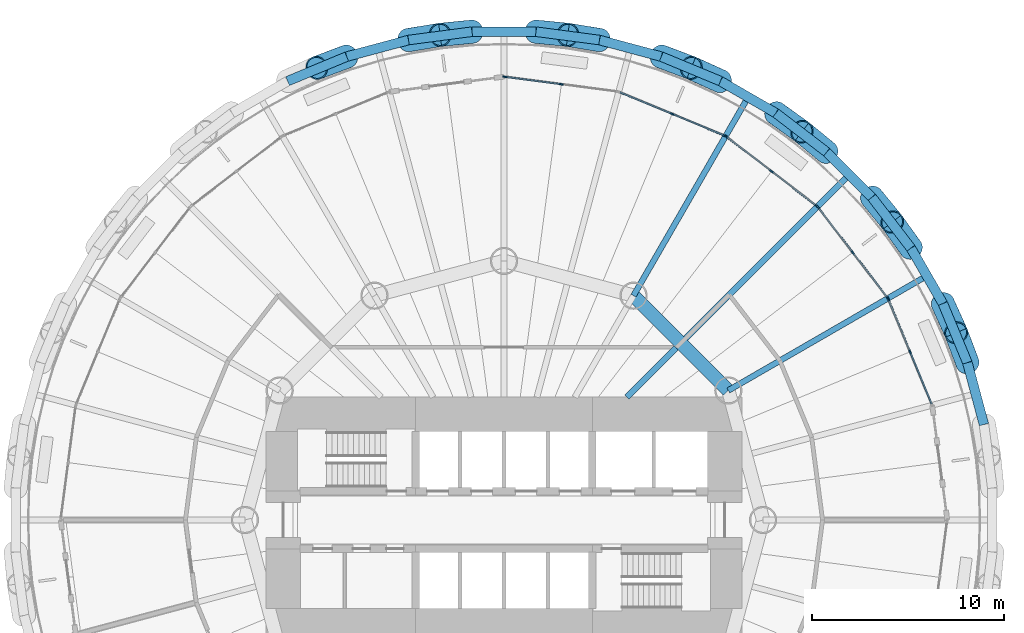
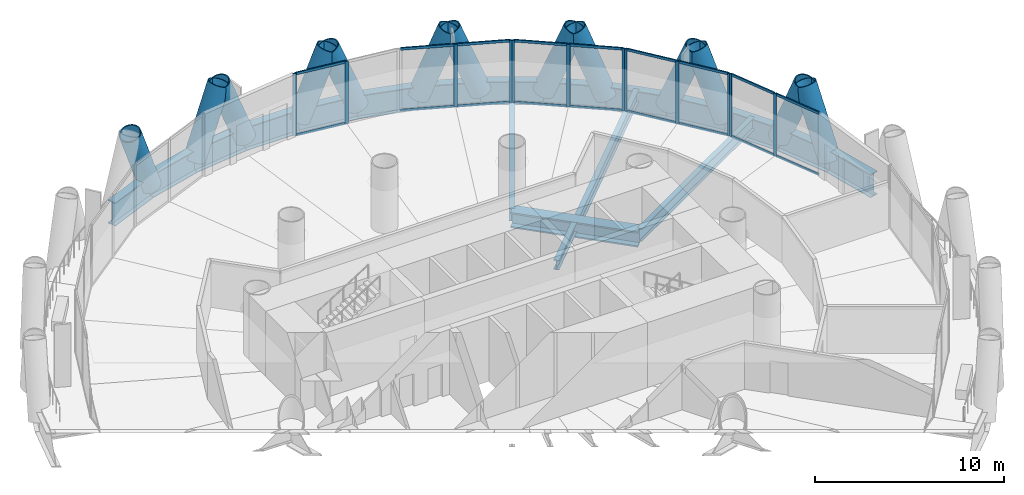
# One storey, part 7 of 16: 43 members, 19 beams, 5 elements without a shape of their own.
"""IFC4 building model written with IfcOpenShell, lengths in metres."""

from ifc_helpers import new_model, si_unit, direction, frame, origin, origin_2d, place, context, subcontext, project, spatial, rectangle, hollow_circle, i_section, extrude, material, material_profile, profile_set, type_object, element, aggregate, save


model = new_model("IFC4")

# Units and contexts
model_context = context("Model", 3, precision=1e-05, world=origin(), true_north=direction((0.0, 1.0)))
body_context = subcontext(model_context, "Body", "Model", "MODEL_VIEW")
ifc_project = project(units=[si_unit("LENGTHUNIT", "METRE"), si_unit("AREAUNIT", "SQUARE_METRE"), si_unit("VOLUMEUNIT", "CUBIC_METRE"), si_unit("PLANEANGLEUNIT", "RADIAN"), si_unit("MASSUNIT", "GRAM", prefix="KILO")], contexts=[model_context])

# Site, building, storey
site_placement = place(None, origin())
site = spatial("IfcSite", under=ifc_project, at=site_placement, CompositionType="ELEMENT")
building_placement = place(site_placement, origin())
building = spatial("IfcBuilding", under=site, at=building_placement, Name="Qaws Media Tower", CompositionType="ELEMENT")
storey_placement = place(building_placement, frame((0.0, 0.0, 80.60009765625)))
storey = spatial("IfcBuildingStorey", under=building, at=storey_placement, Name="L17", CompositionType="ELEMENT", Elevation=80.60009765625)

# Curtain wall, members
ifc_material_1 = material(Name="Aluminium and clear glass", Category="aluminium")
curtain_wall_type = type_object("IfcCurtainWallType", Name="Unitised curtain wall CW-A", PredefinedType="NOTDEFINED", material=ifc_material_1)
curtain_wall_1_placement = place(storey_placement, origin())
curtain_wall_1 = element("IfcCurtainWall", 1, at=curtain_wall_1_placement, inside=storey, type_object=curtain_wall_type, Name="CWA curtain wall L17-02", PredefinedType="NOTDEFINED")
ifc_material_2 = material(Name="Aluminium mullion", Category="aluminium")
ifc_material_profile_1 = material_profile(ifc_material_2, rectangle(XDim=0.080078125, YDim=0.199951171875, at=origin_2d()), Name="80x200")
ifc_profile_set_1 = profile_set([ifc_material_profile_1], Name="Aluminium mullion")
member_type_1 = type_object("IfcMemberType", Name="Curtain wall mullion 80x200", PredefinedType="MULLION", material=ifc_profile_set_1)
member_1_placement = place(storey_placement, frame((81.158935546875, 58.764404296875, 0.0), z_axis=(0.0, 0.0, 1.0), x_axis=(-0.923879517022, -0.382683469758, 0.0)))
member_1 = element("IfcMember", 2, at=member_1_placement, type_object=member_type_1, Name="CWA mullion 2", PredefinedType="MULLION", context=body_context, shape_type="SweptSolid", body=[
    extrude(rectangle(XDim=0.080078125, YDim=0.199951171875, at=origin_2d()), origin(), (0.0, 0.0, 1.0), 4.039794921875),
])
member_2_placement = place(storey_placement, frame((80.0205078125, 61.512939453125, 0.0), z_axis=(0.0, 0.0, 1.0), x_axis=(-0.923879517022, -0.382683469758, 0.0)))
member_2 = element("IfcMember", 3, at=member_2_placement, type_object=member_type_1, Name="CWA mullion 3", PredefinedType="MULLION", context=body_context, shape_type="SweptSolid", body=[
    extrude(rectangle(XDim=0.080078125, YDim=0.199951171875, at=origin_2d()), origin(), (0.0, 0.0, 1.0), 4.039794921875),
])

curtain_wall_2_placement = place(storey_placement, origin())
curtain_wall_2 = element("IfcCurtainWall", 4, at=curtain_wall_2_placement, inside=storey, type_object=curtain_wall_type, Name="CWA curtain wall L17-03", PredefinedType="NOTDEFINED")
member_3_placement = place(storey_placement, frame((79.98095703125, 61.581787109375, 0.0), z_axis=(0.0, 0.0, 1.0), x_axis=(-0.79335337666, -0.608761381612, 0.0)))
member_3 = element("IfcMember", 5, at=member_3_placement, type_object=member_type_1, Name="CWA mullion 1", PredefinedType="MULLION", context=body_context, shape_type="SweptSolid", body=[
    extrude(rectangle(XDim=0.080078125, YDim=0.199951171875, at=origin_2d()), origin(), (0.0, 0.0, 1.0), 4.039794921875),
])
member_4_placement = place(storey_placement, frame((78.169677734375, 63.942138671875, 0.0), z_axis=(0.0, 0.0, 1.0), x_axis=(-0.79335337666, -0.608761381612, 0.0)))
member_4 = element("IfcMember", 6, at=member_4_placement, type_object=member_type_1, Name="CWA mullion 2", PredefinedType="MULLION", context=body_context, shape_type="SweptSolid", body=[
    extrude(rectangle(XDim=0.080078125, YDim=0.199951171875, at=origin_2d()), origin(), (0.0, 0.0, 1.0), 4.039794921875),
])
member_5_placement = place(storey_placement, frame((76.3583984375, 66.302490234375, 0.0), z_axis=(0.0, 0.0, 1.0), x_axis=(-0.79335337666, -0.608761381612, 0.0)))
member_5 = element("IfcMember", 7, at=member_5_placement, type_object=member_type_1, Name="CWA mullion 3", PredefinedType="MULLION", context=body_context, shape_type="SweptSolid", body=[
    extrude(rectangle(XDim=0.080078125, YDim=0.199951171875, at=origin_2d()), origin(), (0.0, 0.0, 1.0), 4.039794921875),
])

curtain_wall_3_placement = place(storey_placement, origin())
curtain_wall_3 = element("IfcCurtainWall", 8, at=curtain_wall_3_placement, inside=storey, type_object=curtain_wall_type, Name="CWA curtain wall L17-04", PredefinedType="NOTDEFINED")
member_6_placement = place(storey_placement, frame((76.302490234375, 66.3583984375, 0.0), z_axis=(0.0, 0.0, 1.0), x_axis=(-0.608761381612, -0.79335337666, 0.0)))
member_6 = element("IfcMember", 9, at=member_6_placement, type_object=member_type_1, Name="CWA mullion 1", PredefinedType="MULLION", context=body_context, shape_type="SweptSolid", body=[
    extrude(rectangle(XDim=0.080078125, YDim=0.199951171875, at=origin_2d()), origin(), (0.0, 0.0, 1.0), 4.039794921875),
])
member_7_placement = place(storey_placement, frame((73.942138671875, 68.169677734375, 0.0), z_axis=(0.0, 0.0, 1.0), x_axis=(-0.608761381612, -0.79335337666, 0.0)))
member_7 = element("IfcMember", 10, at=member_7_placement, type_object=member_type_1, Name="CWA mullion 2", PredefinedType="MULLION", context=body_context, shape_type="SweptSolid", body=[
    extrude(rectangle(XDim=0.080078125, YDim=0.199951171875, at=origin_2d()), origin(), (0.0, 0.0, 1.0), 4.039794921875),
])
member_8_placement = place(storey_placement, frame((71.581787109375, 69.98095703125, 0.0), z_axis=(0.0, 0.0, 1.0), x_axis=(-0.608761381612, -0.79335337666, 0.0)))
member_8 = element("IfcMember", 11, at=member_8_placement, type_object=member_type_1, Name="CWA mullion 3", PredefinedType="MULLION", context=body_context, shape_type="SweptSolid", body=[
    extrude(rectangle(XDim=0.080078125, YDim=0.199951171875, at=origin_2d()), origin(), (0.0, 0.0, 1.0), 4.039794921875),
])

curtain_wall_4_placement = place(storey_placement, origin())
curtain_wall_4 = element("IfcCurtainWall", 12, at=curtain_wall_4_placement, inside=storey, type_object=curtain_wall_type, Name="CWA curtain wall L17-05", PredefinedType="NOTDEFINED")
member_9_placement = place(storey_placement, frame((71.512939453125, 70.0205078125, 0.0), z_axis=(0.0, 0.0, 1.0), x_axis=(-0.382683469758, -0.923879517022, 0.0)))
member_9 = element("IfcMember", 13, at=member_9_placement, type_object=member_type_1, Name="CWA mullion 1", PredefinedType="MULLION", context=body_context, shape_type="SweptSolid", body=[
    extrude(rectangle(XDim=0.080078125, YDim=0.199951171875, at=origin_2d()), origin(), (0.0, 0.0, 1.0), 4.039794921875),
])
member_10_placement = place(storey_placement, frame((68.764404296875, 71.158935546875, 0.0), z_axis=(0.0, 0.0, 1.0), x_axis=(-0.382683469758, -0.923879517022, 0.0)))
member_10 = element("IfcMember", 14, at=member_10_placement, type_object=member_type_1, Name="CWA mullion 2", PredefinedType="MULLION", context=body_context, shape_type="SweptSolid", body=[
    extrude(rectangle(XDim=0.080078125, YDim=0.199951171875, at=origin_2d()), origin(), (0.0, 0.0, 1.0), 4.039794921875),
])

curtain_wall_5_placement = place(storey_placement, origin())
curtain_wall_5 = element("IfcCurtainWall", 15, at=curtain_wall_5_placement, inside=storey, type_object=curtain_wall_type, Name="CWA curtain wall L17-06", PredefinedType="NOTDEFINED")
member_11_placement = place(storey_placement, frame((62.9892578125, 72.70654296875, 0.0), z_axis=(0.0, 0.0, 1.0), x_axis=(-0.130526123696, -0.991444870395, 0.0)))
member_11 = element("IfcMember", 16, at=member_11_placement, type_object=member_type_1, Name="CWA mullion 2", PredefinedType="MULLION", context=body_context, shape_type="SweptSolid", body=[
    extrude(rectangle(XDim=0.080078125, YDim=0.199951171875, at=origin_2d()), origin(), (0.0, 0.0, 1.0), 4.039794921875),
])
member_12_placement = place(storey_placement, frame((60.03955078125, 73.0947265625, 0.0), z_axis=(0.0, 0.0, 1.0), x_axis=(-0.130526123696, -0.991444870395, 0.0)))
member_12 = element("IfcMember", 17, at=member_12_placement, type_object=member_type_1, Name="CWA mullion 3", PredefinedType="MULLION", context=body_context, shape_type="SweptSolid", body=[
    extrude(rectangle(XDim=0.080078125, YDim=0.199951171875, at=origin_2d()), origin(), (0.0, 0.0, 1.0), 4.039794921875),
])

# Member
ifc_material_3 = material(Name="Aluminium transom", Category="aluminium")
ifc_material_profile_2 = material_profile(ifc_material_3, rectangle(XDim=0.080078125, YDim=0.159912109375, at=origin_2d()), Name="80x160")
ifc_profile_set_2 = profile_set([ifc_material_profile_2], Name="Aluminium transom")
member_type_2 = type_object("IfcMemberType", Name="Curtain wall transom 80x160", PredefinedType="USERDEFINED", material=ifc_profile_set_2)
member_13_placement = place(storey_placement, frame((82.2822265625, 56.052734375, 0.039794921875), z_axis=(-0.382704337855, 0.923870872897, 0.0), x_axis=(-0.923870872897, -0.382704337855, 0.0)))
member_13 = element("IfcMember", 18, at=member_13_placement, type_object=member_type_2, Name="CWA transom 1.1", ObjectType="TRANSOM", PredefinedType="USERDEFINED", context=body_context, shape_type="SweptSolid", body=[
    extrude(rectangle(XDim=0.080078125, YDim=0.159912109375, at=origin_2d()), origin(), (0.0, 0.0, 1.0), 2.89501953125),
])

member_14_placement = place(storey_placement, frame((82.2822265625, 56.052734375, 4.0), z_axis=(-0.382704337855, 0.923870872897, 0.0), x_axis=(-0.923870872897, -0.382704337855, 0.0)))
member_14 = element("IfcMember", 19, at=member_14_placement, type_object=member_type_2, Name="CWA transom 1.2", ObjectType="TRANSOM", PredefinedType="USERDEFINED", context=body_context, shape_type="SweptSolid", body=[
    extrude(rectangle(XDim=0.080078125, YDim=0.159912109375, at=origin_2d()), origin(), (0.0, 0.0, 1.0), 2.89501953125),
])

member_15_placement = place(storey_placement, frame((81.143798828125, 58.80126953125, 0.039794921875), z_axis=(-0.382674522319, 0.923883223123, 0.0), x_axis=(-0.923883223123, -0.382674522319, 0.0)))
member_15 = element("IfcMember", 20, at=member_15_placement, type_object=member_type_2, Name="CWA transom 2.1", ObjectType="TRANSOM", PredefinedType="USERDEFINED", context=body_context, shape_type="SweptSolid", body=[
    extrude(rectangle(XDim=0.080078125, YDim=0.159912109375, at=origin_2d()), origin(), (0.0, 0.0, 1.0), 2.895263671875),
])

member_16_placement = place(storey_placement, frame((81.143798828125, 58.80126953125, 4.0), z_axis=(-0.382674522319, 0.923883223123, 0.0), x_axis=(-0.923883223123, -0.382674522319, 0.0)))
member_16 = element("IfcMember", 21, at=member_16_placement, type_object=member_type_2, Name="CWA transom 2.2", ObjectType="TRANSOM", PredefinedType="USERDEFINED", context=body_context, shape_type="SweptSolid", body=[
    extrude(rectangle(XDim=0.080078125, YDim=0.159912109375, at=origin_2d()), origin(), (0.0, 0.0, 1.0), 2.895263671875),
])

aggregate(curtain_wall_1, [member_1, member_2, member_13, member_14, member_15, member_16])

member_17_placement = place(storey_placement, frame((79.95654296875, 61.613525390625, 0.039794921875), z_axis=(-0.608760776012, 0.793353841353, 0.0), x_axis=(-0.793353841353, -0.608760776012, 0.0)))
member_17 = element("IfcMember", 22, at=member_17_placement, type_object=member_type_2, Name="CWA transom 1.1", ObjectType="TRANSOM", PredefinedType="USERDEFINED", context=body_context, shape_type="SweptSolid", body=[
    extrude(rectangle(XDim=0.080078125, YDim=0.159912109375, at=origin_2d()), origin(), (0.0, 0.0, 1.0), 2.895263671875),
])

member_18_placement = place(storey_placement, frame((79.95654296875, 61.613525390625, 4.0), z_axis=(-0.608760776012, 0.793353841353, 0.0), x_axis=(-0.793353841353, -0.608760776012, 0.0)))
member_18 = element("IfcMember", 23, at=member_18_placement, type_object=member_type_2, Name="CWA transom 1.2", ObjectType="TRANSOM", PredefinedType="USERDEFINED", context=body_context, shape_type="SweptSolid", body=[
    extrude(rectangle(XDim=0.080078125, YDim=0.159912109375, at=origin_2d()), origin(), (0.0, 0.0, 1.0), 2.895263671875),
])

member_19_placement = place(storey_placement, frame((78.145263671875, 63.973876953125, 0.039794921875), z_axis=(-0.608760776012, 0.793353841353, 0.0), x_axis=(-0.793353841353, -0.608760776012, 0.0)))
member_19 = element("IfcMember", 24, at=member_19_placement, type_object=member_type_2, Name="CWA transom 2.1", ObjectType="TRANSOM", PredefinedType="USERDEFINED", context=body_context, shape_type="SweptSolid", body=[
    extrude(rectangle(XDim=0.080078125, YDim=0.159912109375, at=origin_2d()), origin(), (0.0, 0.0, 1.0), 2.895263671875),
])

member_20_placement = place(storey_placement, frame((78.145263671875, 63.973876953125, 4.0), z_axis=(-0.608760776012, 0.793353841353, 0.0), x_axis=(-0.793353841353, -0.608760776012, 0.0)))
member_20 = element("IfcMember", 25, at=member_20_placement, type_object=member_type_2, Name="CWA transom 2.2", ObjectType="TRANSOM", PredefinedType="USERDEFINED", context=body_context, shape_type="SweptSolid", body=[
    extrude(rectangle(XDim=0.080078125, YDim=0.159912109375, at=origin_2d()), origin(), (0.0, 0.0, 1.0), 2.895263671875),
])

aggregate(curtain_wall_2, [member_3, member_4, member_5, member_17, member_18, member_19, member_20])

member_21_placement = place(storey_placement, frame((76.270751953125, 66.3828125, 0.039794921875), z_axis=(-0.793353841353, 0.608760776012, 0.0), x_axis=(-0.608760776012, -0.793353841353, 0.0)))
member_21 = element("IfcMember", 26, at=member_21_placement, type_object=member_type_2, Name="CWA transom 1.1", ObjectType="TRANSOM", PredefinedType="USERDEFINED", context=body_context, shape_type="SweptSolid", body=[
    extrude(rectangle(XDim=0.080078125, YDim=0.159912109375, at=origin_2d()), origin(), (0.0, 0.0, 1.0), 2.895263671875),
])

member_22_placement = place(storey_placement, frame((76.270751953125, 66.3828125, 4.0), z_axis=(-0.793353841353, 0.608760776012, 0.0), x_axis=(-0.608760776012, -0.793353841353, 0.0)))
member_22 = element("IfcMember", 27, at=member_22_placement, type_object=member_type_2, Name="CWA transom 1.2", ObjectType="TRANSOM", PredefinedType="USERDEFINED", context=body_context, shape_type="SweptSolid", body=[
    extrude(rectangle(XDim=0.080078125, YDim=0.159912109375, at=origin_2d()), origin(), (0.0, 0.0, 1.0), 2.895263671875),
])

member_23_placement = place(storey_placement, frame((73.910400390625, 68.194091796875, 0.039794921875), z_axis=(-0.793353841353, 0.608760776012, 0.0), x_axis=(-0.608760776012, -0.793353841353, 0.0)))
member_23 = element("IfcMember", 28, at=member_23_placement, type_object=member_type_2, Name="CWA transom 2.1", ObjectType="TRANSOM", PredefinedType="USERDEFINED", context=body_context, shape_type="SweptSolid", body=[
    extrude(rectangle(XDim=0.080078125, YDim=0.159912109375, at=origin_2d()), origin(), (0.0, 0.0, 1.0), 2.895263671875),
])

member_24_placement = place(storey_placement, frame((73.910400390625, 68.194091796875, 4.0), z_axis=(-0.793353841353, 0.608760776012, 0.0), x_axis=(-0.608760776012, -0.793353841353, 0.0)))
member_24 = element("IfcMember", 29, at=member_24_placement, type_object=member_type_2, Name="CWA transom 2.2", ObjectType="TRANSOM", PredefinedType="USERDEFINED", context=body_context, shape_type="SweptSolid", body=[
    extrude(rectangle(XDim=0.080078125, YDim=0.159912109375, at=origin_2d()), origin(), (0.0, 0.0, 1.0), 2.895263671875),
])

aggregate(curtain_wall_3, [member_6, member_7, member_8, member_21, member_22, member_23, member_24])

member_25_placement = place(storey_placement, frame((71.47607421875, 70.035888671875, 0.039794921875), z_axis=(-0.923883223123, 0.382674522319, 0.0), x_axis=(-0.382674522319, -0.923883223123, 0.0)))
member_25 = element("IfcMember", 30, at=member_25_placement, type_object=member_type_2, Name="CWA transom 1.1", ObjectType="TRANSOM", PredefinedType="USERDEFINED", context=body_context, shape_type="SweptSolid", body=[
    extrude(rectangle(XDim=0.080078125, YDim=0.159912109375, at=origin_2d()), origin(), (0.0, 0.0, 1.0), 2.895263671875),
])

member_26_placement = place(storey_placement, frame((71.47607421875, 70.035888671875, 4.0), z_axis=(-0.923883223123, 0.382674522319, 0.0), x_axis=(-0.382674522319, -0.923883223123, 0.0)))
member_26 = element("IfcMember", 31, at=member_26_placement, type_object=member_type_2, Name="CWA transom 1.2", ObjectType="TRANSOM", PredefinedType="USERDEFINED", context=body_context, shape_type="SweptSolid", body=[
    extrude(rectangle(XDim=0.080078125, YDim=0.159912109375, at=origin_2d()), origin(), (0.0, 0.0, 1.0), 2.895263671875),
])

member_27_placement = place(storey_placement, frame((68.727294921875, 71.17431640625, 0.039794921875), z_axis=(-0.923870872897, 0.382704337855, 0.0), x_axis=(-0.382704337855, -0.923870872897, 0.0)))
member_27 = element("IfcMember", 32, at=member_27_placement, type_object=member_type_2, Name="CWA transom 2.1", ObjectType="TRANSOM", PredefinedType="USERDEFINED", context=body_context, shape_type="SweptSolid", body=[
    extrude(rectangle(XDim=0.080078125, YDim=0.159912109375, at=origin_2d()), origin(), (0.0, 0.0, 1.0), 2.89501953125),
])

member_28_placement = place(storey_placement, frame((68.727294921875, 71.17431640625, 4.0), z_axis=(-0.923870872897, 0.382704337855, 0.0), x_axis=(-0.382704337855, -0.923870872897, 0.0)))
member_28 = element("IfcMember", 33, at=member_28_placement, type_object=member_type_2, Name="CWA transom 2.2", ObjectType="TRANSOM", PredefinedType="USERDEFINED", context=body_context, shape_type="SweptSolid", body=[
    extrude(rectangle(XDim=0.080078125, YDim=0.159912109375, at=origin_2d()), origin(), (0.0, 0.0, 1.0), 2.89501953125),
])

aggregate(curtain_wall_4, [member_9, member_10, member_25, member_26, member_27, member_28])

member_29_placement = place(storey_placement, frame((62.94970703125, 72.711669921875, 0.039794921875), z_axis=(-0.991443097924, 0.130539586254, 0.0), x_axis=(-0.130539586254, -0.991443097924, 0.0)))
member_29 = element("IfcMember", 34, at=member_29_placement, type_object=member_type_2, Name="CWA transom 2.1", ObjectType="TRANSOM", PredefinedType="USERDEFINED", context=body_context, shape_type="SweptSolid", body=[
    extrude(rectangle(XDim=0.080078125, YDim=0.159912109375, at=origin_2d()), origin(), (0.0, 0.0, 1.0), 2.89501953125),
])

member_30_placement = place(storey_placement, frame((62.94970703125, 72.711669921875, 4.0), z_axis=(-0.991443097924, 0.130539586254, 0.0), x_axis=(-0.130539586254, -0.991443097924, 0.0)))
member_30 = element("IfcMember", 35, at=member_30_placement, type_object=member_type_2, Name="CWA transom 2.2", ObjectType="TRANSOM", PredefinedType="USERDEFINED", context=body_context, shape_type="SweptSolid", body=[
    extrude(rectangle(XDim=0.080078125, YDim=0.159912109375, at=origin_2d()), origin(), (0.0, 0.0, 1.0), 2.89501953125),
])

aggregate(curtain_wall_5, [member_11, member_12, member_29, member_30])

# Members
ifc_material_4 = material(Name="Steel S460", Category="steel")
ifc_material_profile_3 = material_profile(ifc_material_4, hollow_circle(Radius=0.609619140625, WallThickness=0.06005859375, at=origin_2d()), Name="CHS 1219x60")
ifc_profile_set_3 = profile_set([ifc_material_profile_3], Name="Steel S460")
member_type_3 = type_object("IfcMemberType", Name="Diagrid member CHS 1219x60", PredefinedType="USERDEFINED", material=ifc_profile_set_3)
for number, where, z_axis, x_axis, name in (
    (36, (84.146728515625, 58.19677734375, -0.91015625), (-0.130083644983, 0.345575198072, 0.929330957079), (-0.935889542104, -0.352293577831, 0.0), "DG1 diagrid L17 A02"),
    (37, (81.202392578125, 64.1669921875, -0.91015625), (-0.215060189879, 0.300144289115, 0.92933445026), (-0.812872542183, -0.582441610949, 0.0), "DG1 diagrid L17 A03"),
    (38, (82.870361328125, 61.2783203125, -0.91015625), (0.152344270974, -0.336291874755, 0.92935407573), (0.910891921003, 0.412645014816, 0.0), "DG1 diagrid L17 B03"),
    (39, (76.813232421875, 69.171875, -0.91015625), (-0.285399090487, 0.234240101524, 0.929343281025), (-0.634424229386, -0.772985056238, 0.0), "DG1 diagrid L17 A04"),
    (40, (79.171875, 66.813232421875, -0.91015625), (0.234240101524, -0.285399090487, 0.929343281025), (0.772985056238, 0.634424229386, 0.0), "DG1 diagrid L17 B04"),
    (41, (71.2783203125, 72.870361328125, -0.91015625), (-0.336291874755, 0.152344270974, 0.92935407573), (-0.412645014816, -0.910891921003, 0.0), "DG1 diagrid L17 A05"),
    (42, (74.1669921875, 71.202392578125, -0.91015625), (0.300144289115, -0.215060189879, 0.92933445026), (0.582441610949, 0.812872542183, 0.0), "DG1 diagrid L17 B05"),
    (43, (64.974853515625, 75.010009765625, -0.91015625), (-0.364320516937, 0.060125850438, 0.929330642478), (-0.16283296453, -0.986653650306, 0.0), "DG1 diagrid L17 A06"),
    (44, (68.19677734375, 74.146728515625, -0.91015625), (0.345575198072, -0.130083644983, 0.929330957079), (0.352293577831, 0.935889542104, 0.0), "DG1 diagrid L17 B06"),
    (45, (58.332275390625, 75.4453125, -0.91015625), (-0.3674560123, -0.036194579277, 0.929336339253), (0.098026048078, -0.995183849295, 0.0), "DG1 diagrid L17 A07"),
    (46, (61.667724609375, 75.4453125, -0.91015625), (0.3674560123, -0.036194579277, 0.929336339253), (0.098026048078, 0.995183849295, 0.0), "DG1 diagrid L17 B07"),
    (47, (51.80322265625, 74.146728515625, -0.91015625), (-0.345575198072, -0.130083644983, 0.929330957079), (0.352293577831, -0.935889542104, 0.0), "DG1 diagrid L17 A08"),
    (48, (55.025146484375, 75.010009765625, -0.91015625), (0.364320516937, 0.060125850438, 0.929330642478), (-0.16283296453, 0.986653650306, 0.0), "DG1 diagrid L17 B08"),
):
    element("IfcMember", number, at=place(storey_placement, frame(where, z_axis=z_axis, x_axis=x_axis)), inside=storey, type_object=member_type_3, Name=name, ObjectType="DIAGRID", PredefinedType="USERDEFINED", context=body_context, shape_type="SweptSolid", body=[
        extrude(hollow_circle(Radius=0.609619140625, WallThickness=0.06005859375, at=origin_2d()), origin(), (0.0, 0.0, 1.0), 4.519287109375),
    ])

# Beams
ifc_material_5 = material(Name="Steel S460", Category="steel")
ifc_material_profile_4 = material_profile(ifc_material_5, i_section(OverallWidth=0.5, OverallDepth=1.5, WebThickness=0.02001953125, FlangeThickness=0.0400390625, at=origin_2d()), Name="PG 1500x500")
ifc_profile_set_4 = profile_set([ifc_material_profile_4], Name="Steel S460")
beam_type_1 = type_object("IfcBeamType", Name="Edge ring beam PG 1500x500", PredefinedType="BEAM", material=ifc_profile_set_4)
beam_1_placement = place(storey_placement, frame((85.010009765625, 54.974853515625, -0.91015625), z_axis=(-0.258810475208, 0.965928122545, 0.0), x_axis=(-0.965928122545, -0.258810475208, 0.0)))
element("IfcBeam", 49, at=beam_1_placement, inside=storey, type_object=beam_type_1, Name="RB4 edge ring beam L17-02", PredefinedType="BEAM", context=body_context, shape_type="SweptSolid", body=[
    extrude(i_section(OverallWidth=0.5, OverallDepth=1.5, WebThickness=0.02001953125, FlangeThickness=0.0400390625, at=origin_2d()), origin(), (0.0, 0.0, 1.0), 3.335693359375),
])
beam_2_placement = place(storey_placement, frame((84.146728515625, 58.19677734375, -0.91015625), z_axis=(-0.382670712989, 0.923884800947, 0.0), x_axis=(-0.923884800947, -0.382670712989, 0.0)))
element("IfcBeam", 50, at=beam_2_placement, inside=storey, type_object=beam_type_1, Name="RB4 edge ring beam L17-03", PredefinedType="BEAM", context=body_context, shape_type="SweptSolid", body=[
    extrude(i_section(OverallWidth=0.5, OverallDepth=1.5, WebThickness=0.02001953125, FlangeThickness=0.0400390625, at=origin_2d()), origin(), (0.0, 0.0, 1.0), 3.33544921875),
])
beam_3_placement = place(storey_placement, frame((82.870361328125, 61.2783203125, -0.91015625), z_axis=(-0.500043453909, 0.866000314205, 0.0), x_axis=(-0.866000314205, -0.500043453909, 0.0)))
element("IfcBeam", 51, at=beam_3_placement, inside=storey, type_object=beam_type_1, Name="RB4 edge ring beam L17-04", PredefinedType="BEAM", context=body_context, shape_type="SweptSolid", body=[
    extrude(i_section(OverallWidth=0.5, OverallDepth=1.5, WebThickness=0.02001953125, FlangeThickness=0.0400390625, at=origin_2d()), origin(), (0.0, 0.0, 1.0), 3.335693359375),
])
beam_4_placement = place(storey_placement, frame((81.202392578125, 64.1669921875, -0.91015625), z_axis=(-0.608758792794, 0.793355363123, 0.0), x_axis=(-0.793355363123, -0.608758792794, 0.0)))
element("IfcBeam", 52, at=beam_4_placement, inside=storey, type_object=beam_type_1, Name="RB4 edge ring beam L17-05", PredefinedType="BEAM", context=body_context, shape_type="SweptSolid", body=[
    extrude(i_section(OverallWidth=0.5, OverallDepth=1.5, WebThickness=0.02001953125, FlangeThickness=0.0400390625, at=origin_2d()), origin(), (0.0, 0.0, 1.0), 3.33544921875),
])
beam_5_placement = place(storey_placement, frame((79.171875, 66.813232421875, -0.91015625), z_axis=(-0.707106781187, 0.707106781187, 0.0), x_axis=(-0.707106781187, -0.707106781187, 0.0)))
element("IfcBeam", 53, at=beam_5_placement, inside=storey, type_object=beam_type_1, Name="RB4 edge ring beam L17-06", PredefinedType="BEAM", context=body_context, shape_type="SweptSolid", body=[
    extrude(i_section(OverallWidth=0.5, OverallDepth=1.5, WebThickness=0.02001953125, FlangeThickness=0.0400390625, at=origin_2d()), origin(), (0.0, 0.0, 1.0), 3.335693359375),
])
beam_6_placement = place(storey_placement, frame((76.813232421875, 69.171875, -0.91015625), z_axis=(-0.793355363123, 0.608758792794, 0.0), x_axis=(-0.608758792794, -0.793355363123, 0.0)))
element("IfcBeam", 54, at=beam_6_placement, inside=storey, type_object=beam_type_1, Name="RB4 edge ring beam L17-07", PredefinedType="BEAM", context=body_context, shape_type="SweptSolid", body=[
    extrude(i_section(OverallWidth=0.5, OverallDepth=1.5, WebThickness=0.02001953125, FlangeThickness=0.0400390625, at=origin_2d()), origin(), (0.0, 0.0, 1.0), 3.33544921875),
])
beam_7_placement = place(storey_placement, frame((74.1669921875, 71.202392578125, -0.91015625), z_axis=(-0.866000314205, 0.500043453909, 0.0), x_axis=(-0.500043453909, -0.866000314205, 0.0)))
element("IfcBeam", 55, at=beam_7_placement, inside=storey, type_object=beam_type_1, Name="RB4 edge ring beam L17-08", PredefinedType="BEAM", context=body_context, shape_type="SweptSolid", body=[
    extrude(i_section(OverallWidth=0.5, OverallDepth=1.5, WebThickness=0.02001953125, FlangeThickness=0.0400390625, at=origin_2d()), origin(), (0.0, 0.0, 1.0), 3.335693359375),
])
beam_8_placement = place(storey_placement, frame((71.2783203125, 72.870361328125, -0.91015625), z_axis=(-0.923884800947, 0.382670712989, 0.0), x_axis=(-0.382670712989, -0.923884800947, 0.0)))
element("IfcBeam", 56, at=beam_8_placement, inside=storey, type_object=beam_type_1, Name="RB4 edge ring beam L17-09", PredefinedType="BEAM", context=body_context, shape_type="SweptSolid", body=[
    extrude(i_section(OverallWidth=0.5, OverallDepth=1.5, WebThickness=0.02001953125, FlangeThickness=0.0400390625, at=origin_2d()), origin(), (0.0, 0.0, 1.0), 3.33544921875),
])
for number, where, z_axis, x_axis, name in (
    (57, (68.19677734375, 74.146728515625, -0.91015625), (-0.965928122545, 0.258810475208, 0.0), (-0.258810475208, -0.965928122545, 0.0), "RB4 edge ring beam L17-10"),
    (58, (64.974853515625, 75.010009765625, -0.91015625), (-0.99144831564, 0.130499951778, 0.0), (-0.130499951778, -0.99144831564, 0.0), "RB4 edge ring beam L17-11"),
):
    element("IfcBeam", number, at=place(storey_placement, frame(where, z_axis=z_axis, x_axis=x_axis)), inside=storey, type_object=beam_type_1, Name=name, PredefinedType="BEAM", context=body_context, shape_type="SweptSolid", body=[
        extrude(i_section(OverallWidth=0.5, OverallDepth=1.5, WebThickness=0.02001953125, FlangeThickness=0.0400390625, at=origin_2d()), origin(), (0.0, 0.0, 1.0), 3.335693359375),
    ])
beam_9_placement = place(storey_placement, frame((61.667724609375, 75.4453125, -0.91015625), z_axis=(-1.0, 0.0, 0.0), x_axis=(0.0, -1.0, 0.0)))
element("IfcBeam", 59, at=beam_9_placement, inside=storey, type_object=beam_type_1, Name="RB4 edge ring beam L17-12", PredefinedType="BEAM", context=body_context, shape_type="SweptSolid", body=[
    extrude(i_section(OverallWidth=0.5, OverallDepth=1.5, WebThickness=0.02001953125, FlangeThickness=0.0400390625, at=origin_2d()), origin(), (0.0, 0.0, 1.0), 3.33544921875),
])
for number, where, z_axis, x_axis, name in (
    (60, (58.332275390625, 75.4453125, -0.91015625), (-0.99144831564, -0.130499951778, 0.0), (0.130499951778, -0.99144831564, 0.0), "RB4 edge ring beam L17-13"),
    (61, (55.025146484375, 75.010009765625, -0.91015625), (-0.965928122545, -0.258810475208, 0.0), (0.258810475208, -0.965928122545, 0.0), "RB4 edge ring beam L17-14"),
):
    element("IfcBeam", number, at=place(storey_placement, frame(where, z_axis=z_axis, x_axis=x_axis)), inside=storey, type_object=beam_type_1, Name=name, PredefinedType="BEAM", context=body_context, shape_type="SweptSolid", body=[
        extrude(i_section(OverallWidth=0.5, OverallDepth=1.5, WebThickness=0.02001953125, FlangeThickness=0.0400390625, at=origin_2d()), origin(), (0.0, 0.0, 1.0), 3.335693359375),
    ])
beam_10_placement = place(storey_placement, frame((51.80322265625, 74.146728515625, -0.91015625), z_axis=(-0.923884800947, -0.382670712989, 0.0), x_axis=(0.382670712989, -0.923884800947, 0.0)))
element("IfcBeam", 62, at=beam_10_placement, inside=storey, type_object=beam_type_1, Name="RB4 edge ring beam L17-15", PredefinedType="BEAM", context=body_context, shape_type="SweptSolid", body=[
    extrude(i_section(OverallWidth=0.5, OverallDepth=1.5, WebThickness=0.02001953125, FlangeThickness=0.0400390625, at=origin_2d()), origin(), (0.0, 0.0, 1.0), 3.33544921875),
])
ifc_material_6 = material(Name="Steel S460", Category="steel")
ifc_material_profile_5 = material_profile(ifc_material_6, i_section(OverallWidth=0.699951171875, OverallDepth=1.0, WebThickness=0.034912109375, FlangeThickness=0.090087890625, at=origin_2d()), Name="PG 1000x700")
ifc_profile_set_5 = profile_set([ifc_material_profile_5], Name="Steel S460")
beam_type_2 = type_object("IfcBeamType", Name="Inner ring girder PG 1000x700", PredefinedType="BEAM", material=ifc_profile_set_5)
beam_11_placement = place(storey_placement, frame((71.69140625, 56.75, -0.66015625), z_axis=(-0.707106781187, 0.707106781187, 0.0), x_axis=(-0.707106781187, -0.707106781187, 0.0)))
element("IfcBeam", 63, at=beam_11_placement, inside=storey, type_object=beam_type_2, Name="B3 inner ring beam L17 I02-I03", PredefinedType="BEAM", context=body_context, shape_type="SweptSolid", body=[
    extrude(i_section(OverallWidth=0.699951171875, OverallDepth=1.0, WebThickness=0.034912109375, FlangeThickness=0.090087890625, at=origin_2d()), origin(), (0.0, 0.0, 1.0), 6.98828125),
])
ifc_material_7 = material(Name="Steel S355", Category="steel")
ifc_material_profile_6 = material_profile(ifc_material_7, i_section(OverallWidth=0.304931640625, OverallDepth=0.6201171875, WebThickness=0.02099609375, FlangeThickness=0.0400390625, FilletRadius=0.027099609375, at=origin_2d()), Name="HE 600 M")
ifc_profile_set_6 = profile_set([ifc_material_profile_6], Name="Steel S355")
beam_type_3 = type_object("IfcBeamType", Name="Radial beam HE 600 M, core side", PredefinedType="BEAM", material=ifc_profile_set_6)
beam_12_placement = place(storey_placement, frame((66.39990234375, 56.39990234375, -0.47021484375), z_axis=(0.707106781187, 0.707106781187, 0.0), x_axis=(-0.707106781187, 0.707106781187, 0.0)))
element("IfcBeam", 64, at=beam_12_placement, inside=storey, type_object=beam_type_3, Name="B2 radial beam L17 04", PredefinedType="BEAM", context=body_context, shape_type="SweptSolid", body=[
    extrude(i_section(OverallWidth=0.304931640625, OverallDepth=0.6201171875, WebThickness=0.02099609375, FlangeThickness=0.0400390625, FilletRadius=0.027099609375, at=origin_2d()), origin(), (0.0, 0.0, 1.0), 3.63916015625),
])
ifc_material_8 = material(Name="Steel S355", Category="steel")
ifc_material_profile_7 = material_profile(ifc_material_8, i_section(OverallWidth=0.300048828125, OverallDepth=0.800048828125, WebThickness=0.017578125, FlangeThickness=0.032958984375, FilletRadius=0.030029296875, at=origin_2d()), Name="HE 800 B")
ifc_profile_set_7 = profile_set([ifc_material_profile_7], Name="Steel S355")
beam_type_4 = type_object("IfcBeamType", Name="Radial beam HE 800 B", PredefinedType="BEAM", material=ifc_profile_set_7)
beam_13_placement = place(storey_placement, frame((71.69140625, 56.75, -0.56005859375), z_axis=(0.866025960947, 0.499999034966, 0.0), x_axis=(-0.499999034966, 0.866025960947, 0.0)))
element("IfcBeam", 65, at=beam_13_placement, inside=storey, type_object=beam_type_4, Name="B1 radial beam L17 03", PredefinedType="BEAM", context=body_context, shape_type="SweptSolid", body=[
    extrude(i_section(OverallWidth=0.300048828125, OverallDepth=0.800048828125, WebThickness=0.017578125, FlangeThickness=0.032958984375, FilletRadius=0.030029296875, at=origin_2d()), origin(), (0.0, 0.0, 1.0), 11.9453125),
])
beam_14_placement = place(storey_placement, frame((69.46826171875, 59.46826171875, -0.56005859375), z_axis=(0.707106781187, 0.707106781187, 0.0), x_axis=(-0.707106781187, 0.707106781187, 0.0)))
element("IfcBeam", 66, at=beam_14_placement, inside=storey, type_object=beam_type_4, Name="B1 radial beam L17 04", PredefinedType="BEAM", context=body_context, shape_type="SweptSolid", body=[
    extrude(i_section(OverallWidth=0.300048828125, OverallDepth=0.800048828125, WebThickness=0.017578125, FlangeThickness=0.032958984375, FilletRadius=0.030029296875, at=origin_2d()), origin(), (0.0, 0.0, 1.0), 12.055419921875),
])
beam_15_placement = place(storey_placement, frame((66.75, 61.69140625, -0.56005859375), z_axis=(0.499999034966, 0.866025960947, 0.0), x_axis=(-0.866025960947, 0.499999034966, 0.0)))
element("IfcBeam", 67, at=beam_15_placement, inside=storey, type_object=beam_type_4, Name="B1 radial beam L17 05", PredefinedType="BEAM", context=body_context, shape_type="SweptSolid", body=[
    extrude(i_section(OverallWidth=0.300048828125, OverallDepth=0.800048828125, WebThickness=0.017578125, FlangeThickness=0.032958984375, FilletRadius=0.030029296875, at=origin_2d()), origin(), (0.0, 0.0, 1.0), 11.9453125),
])

save(model, "model.ifc")
